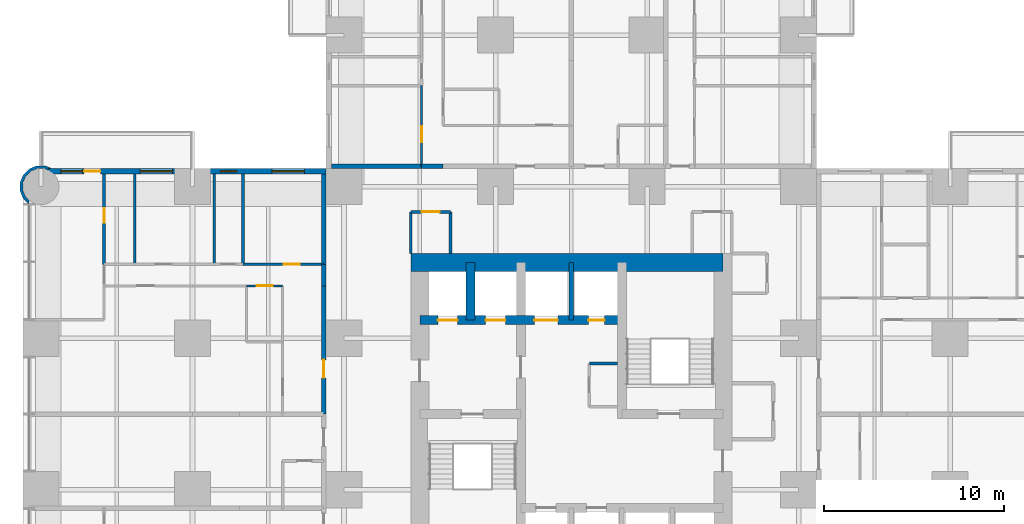
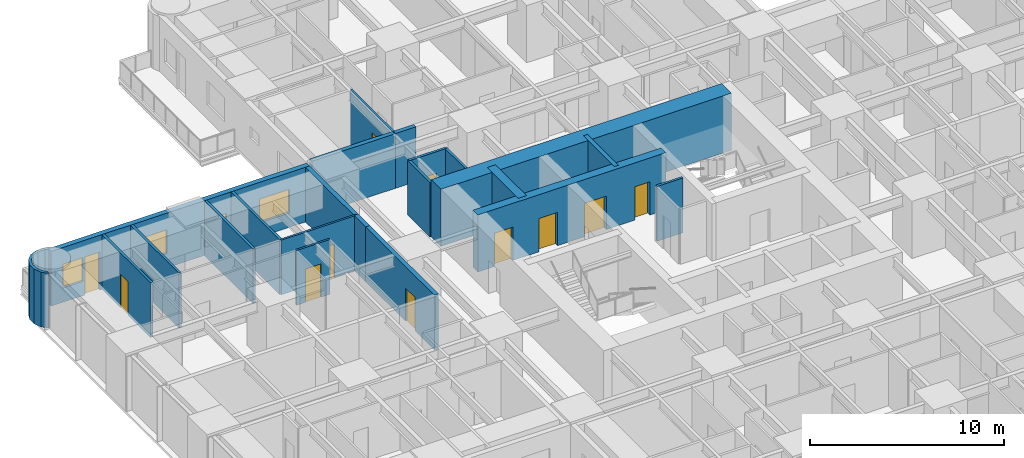
# One storey, part 12 of 17: 22 walls, 11 doors, 4 windows, 15 openings.
"""IFC4 building model written with IfcOpenShell, lengths in metres."""

from ifc_helpers import new_model, si_unit, direction, frame, frame_2d, origin, place, context, subcontext, project, spatial, polyline, rectangle, outline, extrude, material, layer, layer_set, type_object, element, fill, save


model = new_model("IFC4")

# Units and contexts
model_context = context("Model", 3, precision=1e-05, world=origin(), true_north=direction((0.0, 1.0)))
body_context = subcontext(model_context, "Body", "Model", "MODEL_VIEW")
ifc_project = project(units=[si_unit("LENGTHUNIT", "METRE"), si_unit("AREAUNIT", "SQUARE_METRE"), si_unit("VOLUMEUNIT", "CUBIC_METRE"), si_unit("PLANEANGLEUNIT", "RADIAN"), si_unit("MASSUNIT", "GRAM", prefix="KILO")], contexts=[model_context])

# Site, building, storey
site_placement = place(None, origin())
site = spatial("IfcSite", under=ifc_project, at=site_placement, CompositionType="ELEMENT")
building_placement = place(site_placement, origin())
building = spatial("IfcBuilding", under=site, at=building_placement, Name="Torre Alcanfor", CompositionType="ELEMENT")
storey_placement = place(building_placement, frame((0.0, 0.0, 95.699951171875)))
storey = spatial("IfcBuildingStorey", under=building, at=storey_placement, Name="L24", CompositionType="ELEMENT", Elevation=95.699951171875)

# Walls
ifc_material_1 = material(Name="Concrete block masonry, hollow blocks NMX-C-404 9 MPa", Category="masonry")
ifc_layer_1 = layer(ifc_material_1, 0.25)
ifc_layer_set_1 = layer_set([ifc_layer_1], Name="Apartment entrance wall 250 EI 60")
wall_type_1 = type_object("IfcWallType", Name="Apartment entrance wall 250 EI 60", PredefinedType="PARTITIONING", material=ifc_layer_set_1)
wall_1_placement = place(storey_placement, frame((21.10009765625, 43.125, 0.0), z_axis=(0.0, 0.0, 1.0), x_axis=(1.0, 0.0, 0.0)))
element("IfcWall", 1, at=wall_1_placement, inside=storey, type_object=wall_type_1, Name="Partition L24-CORR / L24-N1-HALL", PredefinedType="PARTITIONING", context=body_context, shape_type="SweptSolid", body=[
    extrude(rectangle(XDim=1.199951171875, YDim=0.25, at=frame_2d((0.60009765625, 0.0))), origin(), (0.0, 0.0, 1.0), 3.449951171875),
])
wall_2_placement = place(storey_placement, frame((16.10009765625, 43.125, 0.0), z_axis=(0.0, 0.0, 1.0), x_axis=(1.0, 0.0, 0.0)))
element("IfcWall", 2, at=wall_2_placement, inside=storey, type_object=wall_type_1, Name="Partition L24-CORR / L24-N1-BED3", PredefinedType="PARTITIONING", context=body_context, shape_type="SweptSolid", body=[
    extrude(rectangle(XDim=5.0, YDim=0.25, at=frame_2d((2.5, 0.0))), origin(), (0.0, 0.0, 1.0), 3.449951171875),
])

# Wall, opening, door
wall_3_placement = place(storey_placement, frame((15.675048828125, 29.39990234375, 0.0), z_axis=(0.0, 0.0, 1.0), x_axis=(0.0, 1.0, 0.0)))
wall_3 = element("IfcWall", 3, at=wall_3_placement, inside=storey, type_object=wall_type_1, Name="Partition L24-CORR / L24-W2-ZAG", PredefinedType="PARTITIONING", context=body_context, shape_type="SweptSolid", body=[
    extrude(rectangle(XDim=7.10009765625, YDim=0.25, at=frame_2d((3.550048828125, 0.0))), origin(), (0.0, 0.0, 1.0), 3.449951171875),
])
opening_1_placement = place(wall_3_placement, frame((2.0, 0.0, 0.0)))
opening_1 = element("IfcOpeningElement", 4, at=opening_1_placement, cuts=wall_3, Name="Opening D-A1", PredefinedType="OPENING", context=body_context, shape_type="SweptSolid", body=[
    extrude(rectangle(XDim=1.0, YDim=2.10009765625, at=frame_2d((0.5, 1.050048828125))), frame((0.0, 0.135009765625, 0.0), z_axis=(0.0, -1.0, 0.0), x_axis=(1.0, 0.0, 0.0)), (0.0, 0.0, 1.0), 0.27001953125),
])
ifc_material_2 = material(Name="Galvanised steel sheet ASTM A653", Category="steel")
door_type_1 = type_object("IfcDoorType", Name="Apartment entrance door FD60 1000x2100", OperationType="SINGLE_SWING_LEFT", PredefinedType="DOOR", material=ifc_material_2)
door_1_placement = place(opening_1_placement, origin())
door_1 = element("IfcDoor", 5, at=door_1_placement, inside=storey, type_object=door_type_1, Name="Apartment entrance L24-W2", OperationType="SINGLE_SWING_LEFT", OverallHeight=2.10009765625, OverallWidth=1.0, PredefinedType="DOOR", context=body_context, shape_type="SweptSolid", body=[
    extrude(rectangle(XDim=1.0, YDim=2.10009765625, at=frame_2d((0.5, 1.050048828125))), frame((0.0, 0.02490234375, 0.0), z_axis=(0.0, -1.0, 0.0), x_axis=(1.0, 0.0, 0.0)), (0.0, 0.0, 1.0), 0.050048828125),
])
fill(opening_1, door_1)

# Walls
wall_4_placement = place(storey_placement, frame((15.675048828125, 36.5, 0.0), z_axis=(0.0, 0.0, 1.0), x_axis=(0.0, 1.0, 0.0)))
element("IfcWall", 6, at=wall_4_placement, inside=storey, type_object=wall_type_1, Name="Partition L24-CORR / L24-W2-HALL", PredefinedType="PARTITIONING", context=body_context, shape_type="SweptSolid", body=[
    extrude(rectangle(XDim=1.199951171875, YDim=0.25, at=frame_2d((0.60009765625, 0.0))), origin(), (0.0, 0.0, 1.0), 3.449951171875),
])
wall_5_placement = place(storey_placement, frame((15.675048828125, 37.699951171875, 0.0), z_axis=(0.0, 0.0, 1.0), x_axis=(0.0, 1.0, 0.0)))
element("IfcWall", 7, at=wall_5_placement, inside=storey, type_object=wall_type_1, Name="Partition L24-CORR / L24-W2-BED3", PredefinedType="PARTITIONING", context=body_context, shape_type="SweptSolid", body=[
    extrude(rectangle(XDim=5.0, YDim=0.25, at=frame_2d((2.5, 0.0))), origin(), (0.0, 0.0, 1.0), 3.449951171875),
])

# Wall, opening, door
ifc_material_3 = material(Name="Gypsum board on steel studs", Category="steel")
ifc_layer_2 = layer(ifc_material_3, 0.1201171875)
ifc_layer_set_2 = layer_set([ifc_layer_2], Name="Apartment partition 120")
wall_type_2 = type_object("IfcWallType", Name="Apartment partition 120", PredefinedType="PARTITIONING", material=ifc_layer_set_2)
wall_6_placement = place(storey_placement, frame((21.10009765625, 47.60009765625, 0.0), z_axis=(0.0, 0.0, 1.0), x_axis=(0.0, -1.0, 0.0)))
wall_6 = element("IfcWall", 8, at=wall_6_placement, inside=storey, type_object=wall_type_2, Name="Partition L24-N1-HALL / L24-N1-BED3", PredefinedType="PARTITIONING", context=body_context, shape_type="SweptSolid", body=[
    extrude(rectangle(XDim=4.47509765625, YDim=0.1201171875, at=frame_2d((2.237548828125, 0.0))), origin(), (0.0, 0.0, 1.0), 3.449951171875),
])
opening_2_placement = place(wall_6_placement, frame((2.25, 0.0, 0.0)))
opening_2 = element("IfcOpeningElement", 9, at=opening_2_placement, cuts=wall_6, Name="Opening D-R1", PredefinedType="OPENING", context=body_context, shape_type="SweptSolid", body=[
    extrude(rectangle(XDim=0.89990234375, YDim=2.10009765625, at=frame_2d((0.449951171875, 1.050048828125))), frame((0.0, 0.070068359375, 0.0), z_axis=(0.0, -1.0, 0.0), x_axis=(1.0, 0.0, 0.0)), (0.0, 0.0, 1.0), 0.14013671875),
])
ifc_material_4 = material(Name="Timber", Category="wood")
door_type_2 = type_object("IfcDoorType", Name="Internal door 900x2100", OperationType="SINGLE_SWING_LEFT", PredefinedType="DOOR", material=ifc_material_4)
door_2_placement = place(opening_2_placement, frame((0.89990234375, 0.0, 0.0), z_axis=(0.0, 0.0, 1.0), x_axis=(-1.0, 0.0, 0.0)))
door_2 = element("IfcDoor", 10, at=door_2_placement, inside=storey, type_object=door_type_2, Name="Door L24-N1 bed3", OperationType="SINGLE_SWING_LEFT", OverallHeight=2.10009765625, OverallWidth=0.89990234375, PredefinedType="DOOR", context=body_context, shape_type="SweptSolid", body=[
    extrude(rectangle(XDim=0.89990234375, YDim=2.10009765625, at=frame_2d((0.449951171875, 1.050048828125))), frame((0.0, 0.025146484375, 0.0), z_axis=(0.0, -1.0, 0.0), x_axis=(1.0, 0.0, 0.0)), (0.0, 0.0, 1.0), 0.050048828125),
])
fill(opening_2, door_2)

wall_7_placement = place(storey_placement, frame((11.39990234375, 36.5, 0.0), z_axis=(0.0, 0.0, 1.0), x_axis=(1.0, 0.0, 0.0)))
wall_7 = element("IfcWall", 11, at=wall_7_placement, inside=storey, type_object=wall_type_2, Name="Partition L24-W2-UTIL / L24-W2-HALL", PredefinedType="PARTITIONING", context=body_context, shape_type="SweptSolid", body=[
    extrude(rectangle(XDim=2.0, YDim=0.1201171875, at=frame_2d((1.0, 0.0))), origin(), (0.0, 0.0, 1.0), 3.449951171875),
])
opening_3_placement = place(wall_7_placement, frame((0.550048828125, 0.0, 0.0)))
opening_3 = element("IfcOpeningElement", 12, at=opening_3_placement, cuts=wall_7, Name="Opening D-R1", PredefinedType="OPENING", context=body_context, shape_type="SweptSolid", body=[
    extrude(rectangle(XDim=0.89990234375, YDim=2.10009765625, at=frame_2d((0.449951171875, 1.050048828125))), frame((0.0, 0.070068359375, 0.0), z_axis=(0.0, -1.0, 0.0), x_axis=(1.0, 0.0, 0.0)), (0.0, 0.0, 1.0), 0.14013671875),
])
door_3_placement = place(opening_3_placement, frame((0.89990234375, 0.0, 0.0), z_axis=(0.0, 0.0, 1.0), x_axis=(-1.0, 0.0, 0.0)))
door_3 = element("IfcDoor", 13, at=door_3_placement, inside=storey, type_object=door_type_2, Name="Door L24-W2 util", OperationType="SINGLE_SWING_RIGHT", OverallHeight=2.10009765625, OverallWidth=0.89990234375, PredefinedType="DOOR", context=body_context, shape_type="SweptSolid", body=[
    extrude(rectangle(XDim=0.89990234375, YDim=2.10009765625, at=frame_2d((0.449951171875, 1.050048828125))), frame((0.0, 0.025146484375, 0.0), z_axis=(0.0, -1.0, 0.0), x_axis=(1.0, 0.0, 0.0)), (0.0, 0.0, 1.0), 0.050048828125),
])
fill(opening_3, door_3)

wall_8_placement = place(storey_placement, frame((11.199951171875, 37.699951171875, 0.0), z_axis=(0.0, 0.0, 1.0), x_axis=(1.0, 0.0, 0.0)))
wall_8 = element("IfcWall", 14, at=wall_8_placement, inside=storey, type_object=wall_type_2, Name="Partition L24-W2-HALL / L24-W2-BED3", PredefinedType="PARTITIONING", context=body_context, shape_type="SweptSolid", body=[
    extrude(rectangle(XDim=4.47509765625, YDim=0.1201171875, at=frame_2d((2.237548828125, 0.0))), origin(), (0.0, 0.0, 1.0), 3.449951171875),
])
opening_4_placement = place(wall_8_placement, frame((2.25, 0.0, 0.0)))
opening_4 = element("IfcOpeningElement", 15, at=opening_4_placement, cuts=wall_8, Name="Opening D-R1", PredefinedType="OPENING", context=body_context, shape_type="SweptSolid", body=[
    extrude(rectangle(XDim=0.89990234375, YDim=2.10009765625, at=frame_2d((0.449951171875, 1.050048828125))), frame((0.0, 0.070068359375, 0.0), z_axis=(0.0, -1.0, 0.0), x_axis=(1.0, 0.0, 0.0)), (0.0, 0.0, 1.0), 0.14013671875),
])
door_4_placement = place(opening_4_placement, origin())
door_4 = element("IfcDoor", 16, at=door_4_placement, inside=storey, type_object=door_type_2, Name="Door L24-W2 bed3", OperationType="SINGLE_SWING_RIGHT", OverallHeight=2.10009765625, OverallWidth=0.89990234375, PredefinedType="DOOR", context=body_context, shape_type="SweptSolid", body=[
    extrude(rectangle(XDim=0.89990234375, YDim=2.10009765625, at=frame_2d((0.449951171875, 1.050048828125))), frame((0.0, 0.02490234375, 0.0), z_axis=(0.0, -1.0, 0.0), x_axis=(1.0, 0.0, 0.0)), (0.0, 0.0, 1.0), 0.050048828125),
])
fill(opening_4, door_4)

# Wall, openings, doors
ifc_material_5 = material(Name="Concrete f'c 70 MPa", Category="concrete")
ifc_layer_3 = layer(ifc_material_5, 0.5)
ifc_layer_set_3 = layer_set([ifc_layer_3], Name="Core inner wall 500 f'c70")
wall_type_3 = type_object("IfcWallType", Name="Core inner wall 500 f'c70", PredefinedType="SHEAR", material=ifc_layer_set_3)
wall_9_placement = place(storey_placement, frame((21.0, 34.60009765625, 0.0), z_axis=(0.0, 0.0, 1.0), x_axis=(1.0, 0.0, 0.0)))
wall_9 = element("IfcWall", 17, at=wall_9_placement, inside=storey, type_object=wall_type_3, Name="Core wall Y346 L24", PredefinedType="SHEAR", context=body_context, shape_type="SweptSolid", body=[
    extrude(rectangle(XDim=11.199951171875, YDim=0.5, at=frame_2d((5.60009765625, 0.0))), origin(), (0.0, 0.0, 1.0), 3.60009765625),
])
opening_5_placement = place(wall_9_placement, frame((9.35009765625, 0.0, 0.0)))
opening_5 = element("IfcOpeningElement", 18, at=opening_5_placement, cuts=wall_9, Name="Opening D-Q1", PredefinedType="OPENING", context=body_context, shape_type="SweptSolid", body=[
    extrude(rectangle(XDim=0.89990234375, YDim=2.10009765625, at=frame_2d((0.449951171875, 1.050048828125))), frame((0.0, 0.260009765625, 0.0), z_axis=(0.0, -1.0, 0.0), x_axis=(1.0, 0.0, 0.0)), (0.0, 0.0, 1.0), 0.52001953125),
])
opening_6_placement = place(wall_9_placement, frame((1.0, 0.0, 0.0)))
opening_6 = element("IfcOpeningElement", 19, at=opening_6_placement, cuts=wall_9, Name="Opening LD2", PredefinedType="OPENING", context=body_context, shape_type="SweptSolid", body=[
    extrude(rectangle(XDim=1.10009765625, YDim=2.10009765625, at=frame_2d((0.550048828125, 1.050048828125))), frame((0.0, 0.260009765625, 0.0), z_axis=(0.0, -1.0, 0.0), x_axis=(1.0, 0.0, 0.0)), (0.0, 0.0, 1.0), 0.52001953125),
])
opening_7_placement = place(wall_9_placement, frame((3.64990234375, 0.0, 0.0)))
opening_7 = element("IfcOpeningElement", 20, at=opening_7_placement, cuts=wall_9, Name="Opening LD2", PredefinedType="OPENING", context=body_context, shape_type="SweptSolid", body=[
    extrude(rectangle(XDim=1.10009765625, YDim=2.10009765625, at=frame_2d((0.550048828125, 1.050048828125))), frame((0.0, 0.260009765625, 0.0), z_axis=(0.0, -1.0, 0.0), x_axis=(1.0, 0.0, 0.0)), (0.0, 0.0, 1.0), 0.52001953125),
])
opening_8_placement = place(wall_9_placement, frame((6.35009765625, 0.0, 0.0)))
opening_8 = element("IfcOpeningElement", 21, at=opening_8_placement, cuts=wall_9, Name="Opening LD3", PredefinedType="OPENING", context=body_context, shape_type="SweptSolid", body=[
    extrude(rectangle(XDim=1.300048828125, YDim=2.10009765625, at=frame_2d((0.64990234375, 1.050048828125))), frame((0.0, 0.260009765625, 0.0), z_axis=(0.0, -1.0, 0.0), x_axis=(1.0, 0.0, 0.0)), (0.0, 0.0, 1.0), 0.52001953125),
])
ifc_material_6 = material(Name="Galvanised steel sheet ASTM A653", Category="steel")
door_type_3 = type_object("IfcDoorType", Name="Firefighting lift landing door 1100x2100", OperationType="DOUBLE_DOOR_SLIDING", PredefinedType="DOOR", material=ifc_material_6)
door_5_placement = place(opening_6_placement, origin())
door_5 = element("IfcDoor", 22, at=door_5_placement, inside=storey, type_object=door_type_3, Name="Lift landing door FL1 L24", OperationType="DOUBLE_DOOR_SLIDING", OverallHeight=2.10009765625, OverallWidth=1.10009765625, PredefinedType="DOOR", context=body_context, shape_type="SweptSolid", body=[
    extrude(rectangle(XDim=1.10009765625, YDim=2.10009765625, at=frame_2d((0.550048828125, 1.050048828125))), frame((0.0, 0.02490234375, 0.0), z_axis=(0.0, -1.0, 0.0), x_axis=(1.0, 0.0, 0.0)), (0.0, 0.0, 1.0), 0.050048828125),
])
fill(opening_6, door_5)
door_6_placement = place(opening_7_placement, origin())
door_6 = element("IfcDoor", 23, at=door_6_placement, inside=storey, type_object=door_type_3, Name="Lift landing door FL2 L24", OperationType="DOUBLE_DOOR_SLIDING", OverallHeight=2.10009765625, OverallWidth=1.10009765625, PredefinedType="DOOR", context=body_context, shape_type="SweptSolid", body=[
    extrude(rectangle(XDim=1.10009765625, YDim=2.10009765625, at=frame_2d((0.550048828125, 1.050048828125))), frame((0.0, 0.02490234375, 0.0), z_axis=(0.0, -1.0, 0.0), x_axis=(1.0, 0.0, 0.0)), (0.0, 0.0, 1.0), 0.050048828125),
])
fill(opening_7, door_6)
ifc_material_7 = material(Name="Galvanised steel sheet ASTM A653", Category="steel")
door_type_4 = type_object("IfcDoorType", Name="Riser access door FD120 900x2100", OperationType="SINGLE_SWING_LEFT", PredefinedType="DOOR", material=ifc_material_7)
door_7_placement = place(opening_5_placement, origin())
door_7 = element("IfcDoor", 24, at=door_7_placement, inside=storey, type_object=door_type_4, Name="Riser door L24", OperationType="SINGLE_SWING_LEFT", OverallHeight=2.10009765625, OverallWidth=0.89990234375, PredefinedType="DOOR", context=body_context, shape_type="SweptSolid", body=[
    extrude(rectangle(XDim=0.89990234375, YDim=2.10009765625, at=frame_2d((0.449951171875, 1.050048828125))), frame((0.0, 0.02490234375, 0.0), z_axis=(0.0, -1.0, 0.0), x_axis=(1.0, 0.0, 0.0)), (0.0, 0.0, 1.0), 0.050048828125),
])
fill(opening_5, door_7)
ifc_material_8 = material(Name="Galvanised steel sheet ASTM A653", Category="steel")
door_type_5 = type_object("IfcDoorType", Name="Service lift landing door 1300x2100", OperationType="DOUBLE_DOOR_SLIDING", PredefinedType="DOOR", material=ifc_material_8)
door_8_placement = place(opening_8_placement, origin())
door_8 = element("IfcDoor", 25, at=door_8_placement, inside=storey, type_object=door_type_5, Name="Lift landing door SL1 L24", OperationType="DOUBLE_DOOR_SLIDING", OverallHeight=2.10009765625, OverallWidth=1.300048828125, PredefinedType="DOOR", context=body_context, shape_type="SweptSolid", body=[
    extrude(rectangle(XDim=1.300048828125, YDim=2.10009765625, at=frame_2d((0.64990234375, 1.050048828125))), frame((0.0, 0.02490234375, 0.0), z_axis=(0.0, -1.0, 0.0), x_axis=(1.0, 0.0, 0.0)), (0.0, 0.0, 1.0), 0.050048828125),
])
fill(opening_8, door_8)

# Walls
wall_10_placement = place(storey_placement, frame((23.800048828125, 34.60009765625, 0.0), z_axis=(0.0, 0.0, 1.0), x_axis=(0.0, 1.0, 0.0)))
element("IfcWall", 26, at=wall_10_placement, inside=storey, type_object=wall_type_3, Name="Core wall X238 L24", PredefinedType="SHEAR", context=body_context, shape_type="SweptSolid", body=[
    extrude(rectangle(XDim=3.199951171875, YDim=0.5, at=frame_2d((1.60009765625, 0.0))), origin(), (0.0, 0.0, 1.0), 3.60009765625),
])
ifc_material_9 = material(Name="Concrete f'c 70 MPa", Category="concrete")
ifc_layer_4 = layer(ifc_material_9, 0.25)
ifc_layer_set_4 = layer_set([ifc_layer_4], Name="Core shaft wall 250 f'c70")
wall_type_4 = type_object("IfcWallType", Name="Core shaft wall 250 f'c70", PredefinedType="SHEAR", material=ifc_layer_set_4)
wall_11_placement = place(storey_placement, frame((29.39990234375, 34.60009765625, 0.0), z_axis=(0.0, 0.0, 1.0), x_axis=(0.0, 1.0, 0.0)))
element("IfcWall", 27, at=wall_11_placement, inside=storey, type_object=wall_type_4, Name="Core wall X294N L24", PredefinedType="SHEAR", context=body_context, shape_type="SweptSolid", body=[
    extrude(rectangle(XDim=3.199951171875, YDim=0.25, at=frame_2d((1.60009765625, 0.0))), origin(), (0.0, 0.0, 1.0), 3.60009765625),
])
ifc_material_10 = material(Name="Concrete f'c 70 MPa", Category="concrete")
ifc_layer_5 = layer(ifc_material_10, 1.0)
ifc_layer_set_5 = layer_set([ifc_layer_5], Name="Core wall 1000 f'c70")
wall_type_5 = type_object("IfcWallType", Name="Core wall 1000 f'c70", PredefinedType="SHEAR", material=ifc_layer_set_5)
wall_12_placement = place(storey_placement, frame((37.800048828125, 37.800048828125, 0.0), z_axis=(0.0, 0.0, 1.0), x_axis=(-1.0, 0.0, 0.0)))
element("IfcWall", 28, at=wall_12_placement, inside=storey, type_object=wall_type_5, Name="Core wall OUT-N L24", PredefinedType="SHEAR", context=body_context, shape_type="SweptSolid", body=[
    extrude(rectangle(XDim=17.300048828125, YDim=1.0, at=frame_2d((8.64990234375, 0.0))), origin(), (0.0, 0.0, 1.0), 3.60009765625),
])

# Wall, openings, door, windows
ifc_material_11 = material(Name="Limestone cladding", Category="masonry")
ifc_layer_6 = layer(ifc_material_11, 0.0400390625, Name="Facing")
ifc_material_12 = material(Name="Ventilated air cavity")
ifc_layer_7 = layer(ifc_material_12, 0.02001953125, ventilated=True, Name="Ventilated joint")
ifc_material_13 = material(Name="Mineral wool insulation", Category="insulation")
ifc_layer_8 = layer(ifc_material_13, 0.10009765625, Name="Insulation")
ifc_material_14 = material(Name="Concrete f'c 35 MPa", Category="concrete")
ifc_layer_9 = layer(ifc_material_14, 0.139892578125, Name="Backing")
ifc_layer_set_6 = layer_set([ifc_layer_6, ifc_layer_7, ifc_layer_8, ifc_layer_9], Name="External wall stone-clad 300")
wall_type_6 = type_object("IfcWallType", Name="External wall stone-clad 300", PredefinedType="SOLIDWALL", material=ifc_layer_set_6)
wall_13_placement = place(storey_placement, frame((15.800048828125, 42.85009765625, 0.0), z_axis=(0.0, 0.0, 1.0), x_axis=(-1.0, 0.0, 0.0)))
wall_13 = element("IfcWall", 29, at=wall_13_placement, inside=storey, type_object=wall_type_6, Name="External wall L24 1", PredefinedType="SOLIDWALL", context=body_context, shape_type="SweptSolid", body=[
    extrude(rectangle(XDim=15.400146484375, YDim=0.300048828125, at=frame_2d((7.7001953125, 0.0))), origin(), (0.0, 0.0, 1.0), 3.449951171875),
])
opening_9_placement = place(wall_13_placement, frame((1.199951171875, 0.0, 0.89990234375)))
opening_9 = element("IfcOpeningElement", 30, at=opening_9_placement, cuts=wall_13, Name="Opening W2", PredefinedType="OPENING", context=body_context, shape_type="SweptSolid", body=[
    extrude(rectangle(XDim=1.800048828125, YDim=1.5, at=frame_2d((0.89990234375, 0.75))), frame((0.0, 0.159912109375, 0.0), z_axis=(0.0, -1.0, 0.0), x_axis=(1.0, 0.0, 0.0)), (0.0, 0.0, 1.0), 0.320068359375),
])
opening_10_placement = place(wall_13_placement, frame((4.949951171875, 0.0, 1.5)))
opening_10 = element("IfcOpeningElement", 31, at=opening_10_placement, cuts=wall_13, Name="Opening W3", PredefinedType="OPENING", context=body_context, shape_type="SweptSolid", body=[
    extrude(rectangle(XDim=0.89990234375, YDim=0.699951171875, at=frame_2d((0.449951171875, 0.35009765625))), frame((0.0, 0.159912109375, 0.0), z_axis=(0.0, -1.0, 0.0), x_axis=(1.0, 0.0, 0.0)), (0.0, 0.0, 1.0), 0.320068359375),
])
opening_11_placement = place(wall_13_placement, frame((8.5, 0.0, 0.89990234375)))
opening_11 = element("IfcOpeningElement", 32, at=opening_11_placement, cuts=wall_13, Name="Opening W2", PredefinedType="OPENING", context=body_context, shape_type="SweptSolid", body=[
    extrude(rectangle(XDim=1.800048828125, YDim=1.5, at=frame_2d((0.89990234375, 0.75))), frame((0.0, 0.159912109375, 0.0), z_axis=(0.0, -1.0, 0.0), x_axis=(1.0, 0.0, 0.0)), (0.0, 0.0, 1.0), 0.320068359375),
])
opening_12_placement = place(wall_13_placement, frame((12.5, 0.0, 0.0)))
opening_12 = element("IfcOpeningElement", 33, at=opening_12_placement, cuts=wall_13, Name="Opening D-B1", PredefinedType="OPENING", context=body_context, shape_type="SweptSolid", body=[
    extrude(rectangle(XDim=0.89990234375, YDim=2.39990234375, at=frame_2d((0.449951171875, 1.199951171875))), frame((0.0, 0.159912109375, 0.0), z_axis=(0.0, -1.0, 0.0), x_axis=(1.0, 0.0, 0.0)), (0.0, 0.0, 1.0), 0.320068359375),
])
opening_13_placement = place(wall_13_placement, frame((13.5, 0.0, 0.89990234375)))
opening_13 = element("IfcOpeningElement", 34, at=opening_13_placement, cuts=wall_13, Name="Opening W4", PredefinedType="OPENING", context=body_context, shape_type="SweptSolid", body=[
    extrude(rectangle(XDim=1.199951171875, YDim=1.5, at=frame_2d((0.60009765625, 0.75))), frame((0.0, 0.159912109375, 0.0), z_axis=(0.0, -1.0, 0.0), x_axis=(1.0, 0.0, 0.0)), (0.0, 0.0, 1.0), 0.320068359375),
])
ifc_material_15 = material(Name="Aluminium and glass", Category="aluminium")
door_type_6 = type_object("IfcDoorType", Name="Balcony door glazed 900x2400", OperationType="SINGLE_SWING_LEFT", PredefinedType="DOOR", material=ifc_material_15)
door_9_placement = place(opening_12_placement, origin())
door_9 = element("IfcDoor", 35, at=door_9_placement, inside=storey, type_object=door_type_6, Name="Balcony door L24-W2", OperationType="SINGLE_SWING_LEFT", OverallHeight=2.39990234375, OverallWidth=0.89990234375, PredefinedType="DOOR", context=body_context, shape_type="SweptSolid", body=[
    extrude(rectangle(XDim=0.89990234375, YDim=2.39990234375, at=frame_2d((0.449951171875, 1.199951171875))), frame((0.0, 0.02490234375, 0.0), z_axis=(0.0, -1.0, 0.0), x_axis=(1.0, 0.0, 0.0)), (0.0, 0.0, 1.0), 0.050048828125),
])
fill(opening_12, door_9)
ifc_material_16 = material(Name="Aluminium frame with clear double glazing", Category="aluminium")
window_type_1 = type_object("IfcWindowType", Name="Window bathroom 900x700", PartitioningType="SINGLE_PANEL", PredefinedType="WINDOW", material=ifc_material_16)
window_1_placement = place(opening_10_placement, origin())
window_1 = element("IfcWindow", 36, at=window_1_placement, inside=storey, type_object=window_type_1, Name="Window W3 L24-W2", OverallHeight=0.699951171875, OverallWidth=0.89990234375, PartitioningType="SINGLE_PANEL", PredefinedType="WINDOW", context=body_context, shape_type="SweptSolid", body=[
    extrude(rectangle(XDim=0.89990234375, YDim=0.699951171875, at=frame_2d((0.449951171875, 0.35009765625))), frame((0.0, 0.030029296875, 0.0), z_axis=(0.0, -1.0, 0.0), x_axis=(1.0, 0.0, 0.0)), (0.0, 0.0, 1.0), 0.06005859375),
])
fill(opening_10, window_1)
ifc_material_17 = material(Name="Aluminium frame with clear double glazing", Category="aluminium")
window_type_2 = type_object("IfcWindowType", Name="Window bedroom 1200x1500", PartitioningType="SINGLE_PANEL", PredefinedType="WINDOW", material=ifc_material_17)
window_2_placement = place(opening_13_placement, origin())
window_2 = element("IfcWindow", 37, at=window_2_placement, inside=storey, type_object=window_type_2, Name="Window W4 L24-W2", OverallHeight=1.5, OverallWidth=1.199951171875, PartitioningType="SINGLE_PANEL", PredefinedType="WINDOW", context=body_context, shape_type="SweptSolid", body=[
    extrude(rectangle(XDim=1.199951171875, YDim=1.5, at=frame_2d((0.60009765625, 0.75))), frame((0.0, 0.030029296875, 0.0), z_axis=(0.0, -1.0, 0.0), x_axis=(1.0, 0.0, 0.0)), (0.0, 0.0, 1.0), 0.06005859375),
])
fill(opening_13, window_2)
ifc_material_18 = material(Name="Aluminium frame with clear double glazing", Category="aluminium")
window_type_3 = type_object("IfcWindowType", Name="Window bedroom 1800x1500", PartitioningType="SINGLE_PANEL", PredefinedType="WINDOW", material=ifc_material_18)
window_3_placement = place(opening_9_placement, origin())
window_3 = element("IfcWindow", 38, at=window_3_placement, inside=storey, type_object=window_type_3, Name="Window W2 L24-W2", OverallHeight=1.5, OverallWidth=1.800048828125, PartitioningType="SINGLE_PANEL", PredefinedType="WINDOW", context=body_context, shape_type="SweptSolid", body=[
    extrude(rectangle(XDim=1.800048828125, YDim=1.5, at=frame_2d((0.89990234375, 0.75))), frame((0.0, 0.030029296875, 0.0), z_axis=(0.0, -1.0, 0.0), x_axis=(1.0, 0.0, 0.0)), (0.0, 0.0, 1.0), 0.06005859375),
])
fill(opening_9, window_3)
window_4_placement = place(opening_11_placement, origin())
window_4 = element("IfcWindow", 39, at=window_4_placement, inside=storey, type_object=window_type_3, Name="Window W2 L24-W2", OverallHeight=1.5, OverallWidth=1.800048828125, PartitioningType="SINGLE_PANEL", PredefinedType="WINDOW", context=body_context, shape_type="SweptSolid", body=[
    extrude(rectangle(XDim=1.800048828125, YDim=1.5, at=frame_2d((0.89990234375, 0.75))), frame((0.0, 0.030029296875, 0.0), z_axis=(0.0, -1.0, 0.0), x_axis=(1.0, 0.0, 0.0)), (0.0, 0.0, 1.0), 0.06005859375),
])
fill(opening_11, window_4)

# Wall
ifc_material_19 = material(Name="Concrete block masonry, hollow blocks NMX-C-404 9 MPa", Category="masonry")
ifc_layer_10 = layer(ifc_material_19, 0.14990234375)
ifc_layer_set_7 = layer_set([ifc_layer_10], Name="Residents' room partition 150")
wall_type_7 = type_object("IfcWallType", Name="Residents' room partition 150", PredefinedType="PARTITIONING", material=ifc_layer_set_7)
wall_14_placement = place(storey_placement, frame((22.699951171875, 38.300048828125, 0.0), z_axis=(0.0, 0.0, 1.0), x_axis=(0.0, 1.0, 0.0)))
element("IfcWall", 40, at=wall_14_placement, inside=storey, type_object=wall_type_7, Name="Partition L24-CORR / L24-G01", PredefinedType="PARTITIONING", context=body_context, shape_type="SweptSolid", body=[
    extrude(rectangle(XDim=2.300048828125, YDim=0.14990234375, at=frame_2d((1.14990234375, 0.0))), origin(), (0.0, 0.0, 1.0), 3.449951171875),
])

# Wall, opening, door
wall_15_placement = place(storey_placement, frame((22.699951171875, 40.60009765625, 0.0), z_axis=(0.0, 0.0, 1.0), x_axis=(-1.0, 0.0, 0.0)))
wall_15 = element("IfcWall", 41, at=wall_15_placement, inside=storey, type_object=wall_type_7, Name="Partition L24-CORR / L24-G01", PredefinedType="PARTITIONING", context=body_context, shape_type="SweptSolid", body=[
    extrude(rectangle(XDim=2.199951171875, YDim=0.14990234375, at=frame_2d((1.10009765625, 0.0))), origin(), (0.0, 0.0, 1.0), 3.449951171875),
])
opening_14_placement = place(wall_15_placement, frame((0.60009765625, 0.0, 0.0)))
opening_14 = element("IfcOpeningElement", 42, at=opening_14_placement, cuts=wall_15, Name="Opening D-M1", PredefinedType="OPENING", context=body_context, shape_type="SweptSolid", body=[
    extrude(rectangle(XDim=1.0, YDim=2.10009765625, at=frame_2d((0.5, 1.050048828125))), frame((0.0, 0.0849609375, 0.0), z_axis=(0.0, -1.0, 0.0), x_axis=(1.0, 0.0, 0.0)), (0.0, 0.0, 1.0), 0.169921875),
])
ifc_material_20 = material(Name="Timber", Category="wood")
door_type_7 = type_object("IfcDoorType", Name="Residents' room door 1000x2100", OperationType="SINGLE_SWING_LEFT", PredefinedType="DOOR", material=ifc_material_20)
door_10_placement = place(opening_14_placement, origin())
door_10 = element("IfcDoor", 43, at=door_10_placement, inside=storey, type_object=door_type_7, Name="Door L24-G01 parcel room", OperationType="SINGLE_SWING_LEFT", OverallHeight=2.10009765625, OverallWidth=1.0, PredefinedType="DOOR", context=body_context, shape_type="SweptSolid", body=[
    extrude(rectangle(XDim=1.0, YDim=2.10009765625, at=frame_2d((0.5, 1.050048828125))), frame((0.0, 0.02490234375, 0.0), z_axis=(0.0, -1.0, 0.0), x_axis=(1.0, 0.0, 0.0)), (0.0, 0.0, 1.0), 0.050048828125),
])
fill(opening_14, door_10)

# Walls
wall_16_placement = place(storey_placement, frame((20.5, 40.60009765625, 0.0), z_axis=(0.0, 0.0, 1.0), x_axis=(0.0, -1.0, 0.0)))
element("IfcWall", 44, at=wall_16_placement, inside=storey, type_object=wall_type_7, Name="Partition L24-CORR / L24-G01", PredefinedType="PARTITIONING", context=body_context, shape_type="SweptSolid", body=[
    extrude(rectangle(XDim=2.300048828125, YDim=0.14990234375, at=frame_2d((1.14990234375, 0.0))), origin(), (0.0, 0.0, 1.0), 3.449951171875),
])
wall_17_placement = place(storey_placement, frame((30.39990234375, 32.199951171875, 0.0), z_axis=(0.0, 0.0, 1.0), x_axis=(1.0, 0.0, 0.0)))
element("IfcWall", 45, at=wall_17_placement, inside=storey, type_object=wall_type_7, Name="Partition L24-LL / L24-CR1", PredefinedType="PARTITIONING", context=body_context, shape_type="SweptSolid", body=[
    extrude(rectangle(XDim=1.550048828125, YDim=0.14990234375, at=frame_2d((0.77490234375, 0.0))), origin(), (0.0, 0.0, 1.0), 3.449951171875),
])
ifc_layer_11 = layer(ifc_material_11, 0.0400390625, Name="Facing")
ifc_layer_12 = layer(ifc_material_12, 0.02001953125, ventilated=True, Name="Ventilated joint")
ifc_layer_13 = layer(ifc_material_13, 0.10009765625, Name="Insulation")
ifc_layer_14 = layer(ifc_material_14, 0.139892578125, Name="Backing")
ifc_layer_set_8 = layer_set([ifc_layer_11, ifc_layer_12, ifc_layer_13, ifc_layer_14], Name="Rounded corner pier stone-clad 300")
wall_type_8 = type_object("IfcWallType", Name="Rounded corner pier stone-clad 300", PredefinedType="SOLIDWALL", material=ifc_layer_set_8)
wall_18_placement = place(storey_placement, frame((0.56710175, 42.919127633, 0.0), z_axis=(0.0, 0.0, 1.0), x_axis=(-0.831199417842, 0.555974394895, 0.0)))
element("IfcWall", 46, at=wall_18_placement, inside=storey, type_object=wall_type_8, Name="Corner pier L24 13", PredefinedType="SOLIDWALL", context=body_context, shape_type="SweptSolid", body=[
    extrude(outline(polyline([(0.0035346486096882596, -0.09493172298277563), (0.4134762276337793, -0.013116324048090655), (0.7970130683862647, 0.2434245954711461), (1.0531909726939004, 0.6271376014735981), (1.1430288280848282, 1.0799333504065571), (1.0527519446898332, 1.532385418536847), (0.7962110251705964, 1.9159222592893324), (0.41249801916814444, 2.1721001635969683), (0.017275402111477822, 2.2505151054378154), (-0.02310757741748759, 2.223503654123356), (0.074893768557586, 2.0769885223649993), (0.3505674706005393, 2.0222929245428487), (0.6816138269103391, 1.8013802534353145), (0.9031348748761563, 1.470199235388724), (0.9809251585620924, 1.0798881158367415), (0.903383733639781, 0.6890681500412033), (0.6824710625322469, 0.3580217937314035), (0.35129004448565626, 0.13650074576558635), (0.12607933250637846, 0.09160085349504563), (0.1839390144451166, 0.025737524346643142), (0.0035346486096882596, -0.09493172298277563)])), origin(), (0.0, 0.0, 1.0), 3.449951171875),
])
ifc_material_21 = material(Name="Cement board on steel studs", Category="steel")
ifc_layer_15 = layer(ifc_material_21, 0.14990234375)
ifc_layer_set_9 = layer_set([ifc_layer_15], Name="Wet area partition 150")
wall_type_9 = type_object("IfcWallType", Name="Wet area partition 150", PredefinedType="PARTITIONING", material=ifc_layer_set_9)
for number, where, z_axis, x_axis, name in (
    (47, (11.199951171875, 37.699951171875, 0.0), (0.0, 0.0, 1.0), (0.0, 1.0, 0.0), "Partition L24-W2-BED3 / L24-W2-BATH1"),
    (48, (9.60009765625, 37.699951171875, 0.0), (0.0, 0.0, 1.0), (0.0, 1.0, 0.0), "Partition L24-W2-BATH1 / L24-W2-BED2"),
    (49, (5.199951171875, 37.699951171875, 0.0), (0.0, 0.0, 1.0), (0.0, 1.0, 0.0), "Partition L24-W2-BED2 / L24-W2-ENSBATH"),
):
    element("IfcWall", number, at=place(storey_placement, frame(where, z_axis=z_axis, x_axis=x_axis)), inside=storey, type_object=wall_type_9, Name=name, PredefinedType="PARTITIONING", context=body_context, shape_type="SweptSolid", body=[
        extrude(rectangle(XDim=5.0, YDim=0.14990234375, at=frame_2d((2.5, 0.0))), origin(), (0.0, 0.0, 1.0), 3.449951171875),
    ])

# Wall, opening, door
wall_19_placement = place(storey_placement, frame((3.5, 37.699951171875, 0.0), z_axis=(0.0, 0.0, 1.0), x_axis=(0.0, 1.0, 0.0)))
wall_19 = element("IfcWall", 50, at=wall_19_placement, inside=storey, type_object=wall_type_9, Name="Partition L24-W2-ENSBATH / L24-W2-MASTER", PredefinedType="PARTITIONING", context=body_context, shape_type="SweptSolid", body=[
    extrude(rectangle(XDim=5.0, YDim=0.14990234375, at=frame_2d((2.5, 0.0))), origin(), (0.0, 0.0, 1.0), 3.449951171875),
])
opening_15_placement = place(wall_19_placement, frame((2.300048828125, 0.0, 0.0)))
opening_15 = element("IfcOpeningElement", 51, at=opening_15_placement, cuts=wall_19, Name="Opening D-R2", PredefinedType="OPENING", context=body_context, shape_type="SweptSolid", body=[
    extrude(rectangle(XDim=0.800048828125, YDim=2.10009765625, at=frame_2d((0.39990234375, 1.050048828125))), frame((0.0, 0.0849609375, 0.0), z_axis=(0.0, -1.0, 0.0), x_axis=(1.0, 0.0, 0.0)), (0.0, 0.0, 1.0), 0.169921875),
])
ifc_material_22 = material(Name="Timber", Category="wood")
door_type_8 = type_object("IfcDoorType", Name="Bathroom door 800x2100", OperationType="SINGLE_SWING_LEFT", PredefinedType="DOOR", material=ifc_material_22)
door_11_placement = place(opening_15_placement, frame((0.800048828125, 0.0, 0.0), z_axis=(0.0, 0.0, 1.0), x_axis=(-1.0, 0.0, 0.0)))
door_11 = element("IfcDoor", 52, at=door_11_placement, inside=storey, type_object=door_type_8, Name="Door L24-W2 ensbath", OperationType="SINGLE_SWING_LEFT", OverallHeight=2.10009765625, OverallWidth=0.800048828125, PredefinedType="DOOR", context=body_context, shape_type="SweptSolid", body=[
    extrude(rectangle(XDim=0.800048828125, YDim=2.10009765625, at=frame_2d((0.400146484375, 1.050048828125))), frame((0.0, 0.025146484375, 0.0), z_axis=(0.0, -1.0, 0.0), x_axis=(1.0, 0.0, 0.0)), (0.0, 0.0, 1.0), 0.050048828125),
])
fill(opening_15, door_11)

save(model, "model.ifc")
